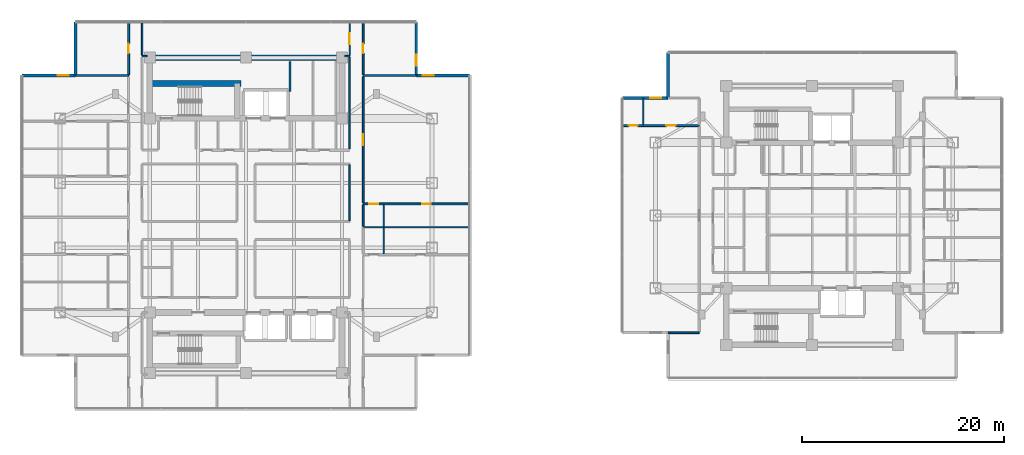
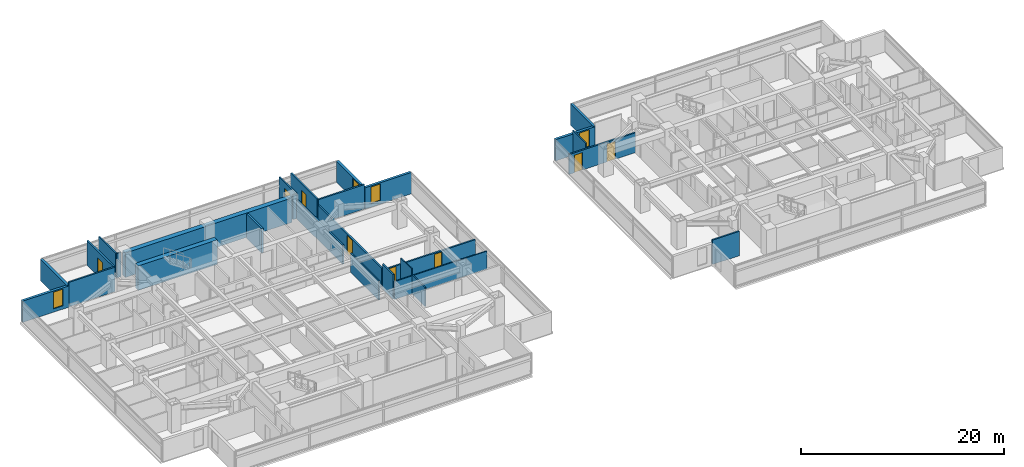
# One storey, part 16 of 24: 28 walls, 8 doors, 4 windows, 12 openings.
"""IFC4 building model written with IfcOpenShell, lengths in metres."""

from ifc_helpers import new_model, si_unit, direction, frame, frame_2d, origin, place, context, subcontext, project, spatial, rectangle, extrude, material, layer, layer_set, type_object, element, fill, save


model = new_model("IFC4")

# Units and contexts
model_context = context("Model", 3, precision=1e-05, world=origin(), true_north=direction((0.0, 1.0)))
body_context = subcontext(model_context, "Body", "Model", "MODEL_VIEW")
ifc_project = project(units=[si_unit("LENGTHUNIT", "METRE"), si_unit("AREAUNIT", "SQUARE_METRE"), si_unit("VOLUMEUNIT", "CUBIC_METRE"), si_unit("PLANEANGLEUNIT", "RADIAN"), si_unit("MASSUNIT", "GRAM", prefix="KILO")], contexts=[model_context])

# Site, building, storey
site_placement = place(None, origin())
site = spatial("IfcSite", under=ifc_project, at=site_placement, CompositionType="ELEMENT")
building_placement = place(site_placement, origin())
building = spatial("IfcBuilding", under=site, at=building_placement, Name="Mirazonda Arch Towers", CompositionType="ELEMENT")
storey_placement = place(building_placement, frame((0.0, 0.0, 144.5)))
storey = spatial("IfcBuildingStorey", under=building, at=storey_placement, Name="L41", CompositionType="ELEMENT", Elevation=144.5)

# Walls
ifc_material_1 = material(Name="Concrete C50/60", Category="concrete")
ifc_layer_1 = layer(ifc_material_1, 0.550048828125, Name="WALL-CORE-550")
ifc_layer_set_1 = layer_set([ifc_layer_1], Name="Concrete C50/60")
wall_type_1 = type_object("IfcWallType", Name="WALL-CORE-550", PredefinedType="SHEAR", material=ifc_layer_set_1)
wall_1_placement = place(storey_placement, frame((11.0, 43.60009765625, 0.0), z_axis=(0.0, 0.0, 1.0), x_axis=(1.0, 0.0, 0.0)))
element("IfcWall", 1, at=wall_1_placement, inside=storey, type_object=wall_type_1, Name="L41 T1N-N Core Shear Wall", PredefinedType="SHEAR", context=body_context, shape_type="SweptSolid", body=[
    extrude(rectangle(XDim=19.0, YDim=0.550048828125, at=frame_2d((9.5, 0.0))), origin(), (0.0, 0.0, 1.0), 2.93994140625),
])
wall_2_placement = place(storey_placement, frame((11.0, 41.04296875, 0.0), z_axis=(0.0, 0.0, 1.0), x_axis=(1.0, 0.0, 0.0)))
element("IfcWall", 2, at=wall_2_placement, inside=storey, type_object=wall_type_1, Name="L41 T1N-STN Core Shear Wall", PredefinedType="SHEAR", context=body_context, shape_type="SweptSolid", body=[
    extrude(rectangle(XDim=9.0, YDim=0.550048828125, at=frame_2d((4.5, 0.0))), origin(), (0.0, 0.0, 1.0), 2.93994140625),
])

# Wall, opening, window
ifc_material_2 = material(Name="Precast Concrete C40/50", Category="concrete")
ifc_layer_2 = layer(ifc_material_2, 0.280029296875, Name="WALL-EXT-WALL-280")
ifc_layer_set_2 = layer_set([ifc_layer_2], Name="Precast Concrete C40/50")
wall_type_2 = type_object("IfcWallType", Name="WALL-EXT-WALL-280", PredefinedType="SOLIDWALL", material=ifc_layer_set_2)
wall_3_placement = place(storey_placement, frame((37.35009765625, 41.833984375, 0.0), z_axis=(0.0, 0.0, 1.0), x_axis=(0.0, 1.0, 0.0)))
wall_3 = element("IfcWall", 3, at=wall_3_placement, inside=storey, type_object=wall_type_2, Name="L41 T1 Notched NE Corner Wall WL-L41-T1-CNE", PredefinedType="SOLIDWALL", context=body_context, shape_type="SweptSolid", body=[
    extrude(rectangle(XDim=5.27001953125, YDim=0.280029296875, at=frame_2d((2.635009765625, 0.0))), origin(), (0.0, 0.0, 1.0), 2.56005859375),
])
opening_1_placement = place(wall_3_placement, frame((0.949951171875, 0.0, 0.409912109375)))
opening_1 = element("IfcOpeningElement", 4, at=opening_1_placement, cuts=wall_3, Name="Opening WN-108", PredefinedType="OPENING", context=body_context, shape_type="SweptSolid", body=[
    extrude(rectangle(XDim=1.10009765625, YDim=2.0, at=frame_2d((0.550048828125, 1.0))), frame((0.0, 0.14990234375, 0.0), z_axis=(0.0, -1.0, 0.0), x_axis=(1.0, 0.0, 0.0)), (0.0, 0.0, 1.0), 0.300048828125),
])
ifc_material_3 = material(Name="Insulated Low-E Solar Glass", Category="glass")
window_type = type_object("IfcWindowType", Name="WIN-NOTCH-1100x2000", PartitioningType="SINGLE_PANEL", PredefinedType="WINDOW", material=ifc_material_3)
window_1_placement = place(opening_1_placement, origin())
window_1 = element("IfcWindow", 5, at=window_1_placement, inside=storey, type_object=window_type, Name="L41 Punched Facade Window WN-L41-T1-CNE", OverallHeight=2.0, OverallWidth=1.10009765625, PartitioningType="SINGLE_PANEL", PredefinedType="WINDOW", context=body_context, shape_type="SweptSolid", body=[
    extrude(rectangle(XDim=1.10009765625, YDim=2.0, at=frame_2d((0.550048828125, 1.0))), frame((0.0, 0.030029296875, 0.0), z_axis=(0.0, -1.0, 0.0), x_axis=(1.0, 0.0, 0.0)), (0.0, 0.0, 1.0), 0.06005859375),
])
fill(opening_1, window_1)

wall_4_placement = place(storey_placement, frame((3.64990234375, 41.833984375, 0.0), z_axis=(0.0, 0.0, 1.0), x_axis=(-1.0, 0.0, 0.0)))
wall_4 = element("IfcWall", 6, at=wall_4_placement, inside=storey, type_object=wall_type_2, Name="L41 T1 Corner Notch Return Wall WL-L41-T1-CNW1", PredefinedType="SOLIDWALL", context=body_context, shape_type="SweptSolid", body=[
    extrude(rectangle(XDim=5.27001953125, YDim=0.280029296875, at=frame_2d((2.635009765625, 0.0))), origin(), (0.0, 0.0, 1.0), 2.56005859375),
])
opening_2_placement = place(wall_4_placement, frame((0.64990234375, 0.0, 0.409912109375)))
opening_2 = element("IfcOpeningElement", 7, at=opening_2_placement, cuts=wall_4, Name="Opening WN-108", PredefinedType="OPENING", context=body_context, shape_type="SweptSolid", body=[
    extrude(rectangle(XDim=1.10009765625, YDim=2.0, at=frame_2d((0.550048828125, 1.0))), frame((0.0, 0.14990234375, 0.0), z_axis=(0.0, -1.0, 0.0), x_axis=(1.0, 0.0, 0.0)), (0.0, 0.0, 1.0), 0.300048828125),
])
window_2_placement = place(opening_2_placement, origin())
window_2 = element("IfcWindow", 8, at=window_2_placement, inside=storey, type_object=window_type, Name="L41 Punched Facade Window WN-L41-T1-CNW1", OverallHeight=2.0, OverallWidth=1.10009765625, PartitioningType="SINGLE_PANEL", PredefinedType="WINDOW", context=body_context, shape_type="SweptSolid", body=[
    extrude(rectangle(XDim=1.10009765625, YDim=2.0, at=frame_2d((0.550048828125, 1.0))), frame((0.0, 0.030029296875, 0.0), z_axis=(0.0, -1.0, 0.0), x_axis=(1.0, 0.0, 0.0)), (0.0, 0.0, 1.0), 0.06005859375),
])
fill(opening_2, window_2)

# Wall
wall_5_placement = place(storey_placement, frame((3.64990234375, 47.10400390625, 0.0), z_axis=(0.0, 0.0, 1.0), x_axis=(0.0, -1.0, 0.0)))
element("IfcWall", 9, at=wall_5_placement, inside=storey, type_object=wall_type_2, Name="L41 T1 Corner Notch Return Wall WL-L41-T1-CNW2", PredefinedType="SOLIDWALL", context=body_context, shape_type="SweptSolid", body=[
    extrude(rectangle(XDim=5.27001953125, YDim=0.280029296875, at=frame_2d((2.635009765625, 0.0))), origin(), (0.0, 0.0, 1.0), 2.56005859375),
])

# Wall, opening, window
wall_6_placement = place(storey_placement, frame((42.6201171875, 41.833984375, 0.0), z_axis=(0.0, 0.0, 1.0), x_axis=(-1.0, 0.0, 0.0)))
wall_6 = element("IfcWall", 10, at=wall_6_placement, inside=storey, type_object=wall_type_2, Name="L41 T1 Corner Notch Return Wall WL-L41-T1-CNE2", PredefinedType="SOLIDWALL", context=body_context, shape_type="SweptSolid", body=[
    extrude(rectangle(XDim=5.27001953125, YDim=0.280029296875, at=frame_2d((2.635009765625, 0.0))), origin(), (0.0, 0.0, 1.0), 2.56005859375),
])
opening_3_placement = place(wall_6_placement, frame((3.52001953125, 0.0, 0.409912109375)))
opening_3 = element("IfcOpeningElement", 11, at=opening_3_placement, cuts=wall_6, Name="Opening WN-108", PredefinedType="OPENING", context=body_context, shape_type="SweptSolid", body=[
    extrude(rectangle(XDim=1.10009765625, YDim=2.0, at=frame_2d((0.550048828125, 1.0))), frame((0.0, 0.14990234375, 0.0), z_axis=(0.0, -1.0, 0.0), x_axis=(1.0, 0.0, 0.0)), (0.0, 0.0, 1.0), 0.300048828125),
])
window_3_placement = place(opening_3_placement, origin())
window_3 = element("IfcWindow", 12, at=window_3_placement, inside=storey, type_object=window_type, Name="L41 Punched Facade Window WN-L41-T1-CNE2", OverallHeight=2.0, OverallWidth=1.10009765625, PartitioningType="SINGLE_PANEL", PredefinedType="WINDOW", context=body_context, shape_type="SweptSolid", body=[
    extrude(rectangle(XDim=1.10009765625, YDim=2.0, at=frame_2d((0.550048828125, 1.0))), frame((0.0, 0.030029296875, 0.0), z_axis=(0.0, -1.0, 0.0), x_axis=(1.0, 0.0, 0.0)), (0.0, 0.0, 1.0), 0.06005859375),
])
fill(opening_3, window_3)

wall_7_placement = place(storey_placement, frame((62.237548828125, 39.598876953125, 0.0), z_axis=(0.0, 0.0, 1.0), x_axis=(-1.0, 0.0, 0.0)))
wall_7 = element("IfcWall", 13, at=wall_7_placement, inside=storey, type_object=wall_type_2, Name="L41 T2 Corner Notch Return Wall WL-L41-T2-CNW1", PredefinedType="SOLIDWALL", context=body_context, shape_type="SweptSolid", body=[
    extrude(rectangle(XDim=4.486572265625, YDim=0.280029296875, at=frame_2d((2.2431640625, 0.0))), origin(), (0.0, 0.0, 1.0), 2.56005859375),
])
opening_4_placement = place(wall_7_placement, frame((0.64990234375, 0.0, 0.409912109375)))
opening_4 = element("IfcOpeningElement", 14, at=opening_4_placement, cuts=wall_7, Name="Opening WN-108", PredefinedType="OPENING", context=body_context, shape_type="SweptSolid", body=[
    extrude(rectangle(XDim=1.10009765625, YDim=2.0, at=frame_2d((0.550048828125, 1.0))), frame((0.0, 0.14990234375, 0.0), z_axis=(0.0, -1.0, 0.0), x_axis=(1.0, 0.0, 0.0)), (0.0, 0.0, 1.0), 0.300048828125),
])
window_4_placement = place(opening_4_placement, origin())
window_4 = element("IfcWindow", 15, at=window_4_placement, inside=storey, type_object=window_type, Name="L41 Punched Facade Window WN-L41-T2-CNW1", OverallHeight=2.0, OverallWidth=1.10009765625, PartitioningType="SINGLE_PANEL", PredefinedType="WINDOW", context=body_context, shape_type="SweptSolid", body=[
    extrude(rectangle(XDim=1.10009765625, YDim=2.0, at=frame_2d((0.550048828125, 1.0))), frame((0.0, 0.030029296875, 0.0), z_axis=(0.0, -1.0, 0.0), x_axis=(1.0, 0.0, 0.0)), (0.0, 0.0, 1.0), 0.06005859375),
])
fill(opening_4, window_4)

# Walls
wall_8_placement = place(storey_placement, frame((62.237548828125, 44.08544921875, 0.0), z_axis=(0.0, 0.0, 1.0), x_axis=(0.0, -1.0, 0.0)))
element("IfcWall", 16, at=wall_8_placement, inside=storey, type_object=wall_type_2, Name="L41 T2 Corner Notch Return Wall WL-L41-T2-CNW2", PredefinedType="SOLIDWALL", context=body_context, shape_type="SweptSolid", body=[
    extrude(rectangle(XDim=4.486572265625, YDim=0.280029296875, at=frame_2d((2.2431640625, 0.0))), origin(), (0.0, 0.0, 1.0), 2.56005859375),
])
ifc_material_4 = material(Name="Concrete C40/50", Category="concrete")
ifc_layer_3 = layer(ifc_material_4, 0.219970703125, Name="WALL-FFL-220")
ifc_layer_set_3 = layer_set([ifc_layer_3], Name="Concrete C40/50")
wall_type_3 = type_object("IfcWallType", Name="WALL-FFL-220", PredefinedType="SOLIDWALL", material=ifc_layer_set_3)
wall_9_placement = place(storey_placement, frame((24.85009765625, 40.260009765625, 0.0), z_axis=(0.0, 0.0, 1.0), x_axis=(0.0, 1.0, 0.0)))
element("IfcWall", 17, at=wall_9_placement, inside=storey, type_object=wall_type_3, Name="L41 Interior Partition 103", PredefinedType="SOLIDWALL", context=body_context, shape_type="SweptSolid", body=[
    extrude(rectangle(XDim=2.93994140625, YDim=0.219970703125, at=frame_2d((1.469970703125, 0.0))), origin(), (0.0, 0.0, 1.0), 2.93994140625),
])
ifc_material_5 = material(Name="Fire-Rated Gypsum Stud Partition")
ifc_layer_4 = layer(ifc_material_5, 0.14990234375, Name="WALL-PART-CORR-150")
ifc_layer_set_4 = layer_set([ifc_layer_4], Name="Fire-Rated Gypsum Stud Partition")
wall_type_4 = type_object("IfcWallType", Name="WALL-PART-CORR-150", PredefinedType="PARTITIONING", material=ifc_layer_set_4)
for number, where, z_axis, x_axis, name in (
    (18, (10.239990234375, 43.75, 0.0), (0.0, 0.0, 1.0), (1.0, 0.0, 0.0), "L41 Interior Partition 061"),
    (19, (30.27001953125, 43.75, 0.0), (0.0, 0.0, 1.0), (1.0, 0.0, 0.0), "L41 Interior Partition 062"),
):
    element("IfcWall", number, at=place(storey_placement, frame(where, z_axis=z_axis, x_axis=x_axis)), inside=storey, type_object=wall_type_4, Name=name, PredefinedType="PARTITIONING", context=body_context, shape_type="SweptSolid", body=[
        extrude(rectangle(XDim=0.489990234375, YDim=0.14990234375, at=frame_2d((0.2451171875, 0.0))), origin(), (0.0, 0.0, 1.0), 2.93994140625),
    ])
wall_10_placement = place(storey_placement, frame((10.239990234375, 43.8349609375, 0.0), z_axis=(0.0, 0.0, 1.0), x_axis=(0.0, 1.0, 0.0)))
element("IfcWall", 20, at=wall_10_placement, inside=storey, type_object=wall_type_4, Name="L41 Interior Partition 083", PredefinedType="PARTITIONING", context=body_context, shape_type="SweptSolid", body=[
    extrude(rectangle(XDim=3.26904296875, YDim=0.14990234375, at=frame_2d((1.634521484375, 0.0))), origin(), (0.0, 0.0, 1.0), 2.93994140625),
])
wall_11_placement = place(storey_placement, frame((30.760009765625, 27.485107421875, 0.0), z_axis=(0.0, 0.0, 1.0), x_axis=(0.0, 1.0, 0.0)))
element("IfcWall", 21, at=wall_11_placement, inside=storey, type_object=wall_type_4, Name="L41 Interior Partition 112", PredefinedType="PARTITIONING", context=body_context, shape_type="SweptSolid", body=[
    extrude(rectangle(XDim=5.52978515625, YDim=0.14990234375, at=frame_2d((2.764892578125, 0.0))), origin(), (0.0, 0.0, 1.0), 2.31591796875),
])
wall_12_placement = place(storey_placement, frame((30.760009765625, 34.570068359375, 0.0), z_axis=(0.0, 0.0, 1.0), x_axis=(0.0, 1.0, 0.0)))
element("IfcWall", 22, at=wall_12_placement, inside=storey, type_object=wall_type_4, Name="L41 Interior Partition 113", PredefinedType="PARTITIONING", context=body_context, shape_type="SweptSolid", body=[
    extrude(rectangle(XDim=9.094970703125, YDim=0.14990234375, at=frame_2d((4.54736328125, 0.0))), origin(), (0.0, 0.0, 1.0), 2.31591796875),
])

# Wall, opening, door
wall_13_placement = place(storey_placement, frame((30.760009765625, 43.8349609375, 0.0), z_axis=(0.0, 0.0, 1.0), x_axis=(0.0, 1.0, 0.0)))
wall_13 = element("IfcWall", 23, at=wall_13_placement, inside=storey, type_object=wall_type_4, Name="L41 Interior Partition 114", PredefinedType="PARTITIONING", context=body_context, shape_type="SweptSolid", body=[
    extrude(rectangle(XDim=3.26904296875, YDim=0.14990234375, at=frame_2d((1.634521484375, 0.0))), origin(), (0.0, 0.0, 1.0), 2.93994140625),
])
opening_5_placement = place(wall_13_placement, frame((1.109619140625, 0.0, 0.0)))
opening_5 = element("IfcOpeningElement", 24, at=opening_5_placement, cuts=wall_13, Name="Opening DR-121", PredefinedType="OPENING", context=body_context, shape_type="SweptSolid", body=[
    extrude(rectangle(XDim=1.050048828125, YDim=2.199951171875, at=frame_2d((0.52490234375, 1.10009765625))), frame((0.0, 0.0849609375, 0.0), z_axis=(0.0, -1.0, 0.0), x_axis=(1.0, 0.0, 0.0)), (0.0, 0.0, 1.0), 0.169921875),
])
ifc_material_6 = material(Name="Architectural Brushed Steel S355", Category="steel")
door_type_1 = type_object("IfcDoorType", Name="DOOR-SUITE-FD60-1050", OperationType="NOTDEFINED", PredefinedType="DOOR", material=ifc_material_6)
door_1_placement = place(opening_5_placement, origin())
door_1 = element("IfcDoor", 25, at=door_1_placement, inside=storey, type_object=door_type_1, Name="L41 North Reading Salon Suite Door", OperationType="SINGLE_SWING_RIGHT", OverallHeight=2.199951171875, OverallWidth=1.050048828125, PredefinedType="DOOR", context=body_context, shape_type="SweptSolid", body=[
    extrude(rectangle(XDim=1.050048828125, YDim=2.199951171875, at=frame_2d((0.52490234375, 1.10009765625))), frame((0.0, 0.02490234375, 0.0), z_axis=(0.0, -1.0, 0.0), x_axis=(1.0, 0.0, 0.0)), (0.0, 0.0, 1.0), 0.050048828125),
])
fill(opening_5, door_1)

# Wall
ifc_material_7 = material(Name="Fire-Rated Gypsum Twin-Stud Assembly")
ifc_layer_5 = layer(ifc_material_7, 0.179931640625, Name="WALL-PART-DEMISE-180")
ifc_layer_set_5 = layer_set([ifc_layer_5], Name="Fire-Rated Gypsum Twin-Stud Assembly")
wall_type_5 = type_object("IfcWallType", Name="WALL-PART-DEMISE-180", PredefinedType="PARTITIONING", material=ifc_layer_set_5)
wall_14_placement = place(storey_placement, frame((62.257568359375, 16.40087890625, 0.0), z_axis=(0.0, 0.0, 1.0), x_axis=(1.0, 0.0, 0.0)))
element("IfcWall", 26, at=wall_14_placement, inside=storey, type_object=wall_type_5, Name="L41 Interior Partition 009", PredefinedType="PARTITIONING", context=body_context, shape_type="SweptSolid", body=[
    extrude(rectangle(XDim=3.0625, YDim=0.179931640625, at=frame_2d((1.53125, 0.0))), origin(), (0.0, 0.0, 1.0), 2.93994140625),
])

# Wall, openings, doors
wall_15_placement = place(storey_placement, frame((32.10009765625, 29.137939453125, 0.0), z_axis=(0.0, 0.0, 1.0), x_axis=(1.0, 0.0, 0.0)))
wall_15 = element("IfcWall", 27, at=wall_15_placement, inside=storey, type_object=wall_type_5, Name="L41 Interior Partition 038", PredefinedType="PARTITIONING", context=body_context, shape_type="SweptSolid", body=[
    extrude(rectangle(XDim=10.52001953125, YDim=0.179931640625, at=frame_2d((5.260009765625, 0.0))), origin(), (0.0, 0.0, 1.0), 2.158935546875),
])
opening_6_placement = place(wall_15_placement, frame((5.8349609375, 0.0, 0.0)))
opening_6 = element("IfcOpeningElement", 28, at=opening_6_placement, cuts=wall_15, Name="Opening DR-128", PredefinedType="OPENING", context=body_context, shape_type="SweptSolid", body=[
    extrude(rectangle(XDim=0.85009765625, YDim=2.010009765625, at=frame_2d((0.425048828125, 1.0048828125))), frame((0.0, 0.099853515625, 0.0), z_axis=(0.0, -1.0, 0.0), x_axis=(1.0, 0.0, 0.0)), (0.0, 0.0, 1.0), 0.199951171875),
])
opening_7_placement = place(wall_15_placement, frame((0.590087890625, 0.0, 0.0)))
opening_7 = element("IfcOpeningElement", 29, at=opening_7_placement, cuts=wall_15, Name="Opening DR-120", PredefinedType="OPENING", context=body_context, shape_type="SweptSolid", body=[
    extrude(rectangle(XDim=0.89990234375, YDim=2.10009765625, at=frame_2d((0.449951171875, 1.050048828125))), frame((0.0, 0.099853515625, 0.0), z_axis=(0.0, -1.0, 0.0), x_axis=(1.0, 0.0, 0.0)), (0.0, 0.0, 1.0), 0.199951171875),
])
door_type_2 = type_object("IfcDoorType", Name="DOOR-RISER-FD60-850", OperationType="NOTDEFINED", PredefinedType="DOOR", material=ifc_material_6)
door_2_placement = place(opening_6_placement, origin())
door_2 = element("IfcDoor", 30, at=door_2_placement, inside=storey, type_object=door_type_2, Name="L41 Suite Bedroom 2 Door", OperationType="SINGLE_SWING_RIGHT", OverallHeight=2.010009765625, OverallWidth=0.85009765625, PredefinedType="DOOR", context=body_context, shape_type="SweptSolid", body=[
    extrude(rectangle(XDim=0.85009765625, YDim=2.010009765625, at=frame_2d((0.425048828125, 1.0048828125))), frame((0.0, 0.02490234375, 0.0), z_axis=(0.0, -1.0, 0.0), x_axis=(1.0, 0.0, 0.0)), (0.0, 0.0, 1.0), 0.050048828125),
])
fill(opening_6, door_2)
door_type_3 = type_object("IfcDoorType", Name="DOOR-WC-900", OperationType="NOTDEFINED", PredefinedType="DOOR", material=ifc_material_6)
door_3_placement = place(opening_7_placement, origin())
door_3 = element("IfcDoor", 31, at=door_3_placement, inside=storey, type_object=door_type_3, Name="L41 Suite En-Suite Bathroom 2 Door", OperationType="SINGLE_SWING_LEFT", OverallHeight=2.10009765625, OverallWidth=0.89990234375, PredefinedType="DOOR", context=body_context, shape_type="SweptSolid", body=[
    extrude(rectangle(XDim=0.89990234375, YDim=2.10009765625, at=frame_2d((0.449951171875, 1.050048828125))), frame((0.0, 0.02490234375, 0.0), z_axis=(0.0, -1.0, 0.0), x_axis=(1.0, 0.0, 0.0)), (0.0, 0.0, 1.0), 0.050048828125),
])
fill(opening_7, door_3)

wall_16_placement = place(storey_placement, frame((57.7509765625, 36.87890625, 0.0), z_axis=(0.0, 0.0, 1.0), x_axis=(1.0, 0.0, 0.0)))
wall_16 = element("IfcWall", 32, at=wall_16_placement, inside=storey, type_object=wall_type_5, Name="L41 Interior Partition 052", PredefinedType="PARTITIONING", context=body_context, shape_type="SweptSolid", body=[
    extrude(rectangle(XDim=7.569091796875, YDim=0.179931640625, at=frame_2d((3.78466796875, 0.0))), origin(), (0.0, 0.0, 1.0), 2.383056640625),
])
opening_8_placement = place(wall_16_placement, frame((4.3095703125, 0.0, 0.0)))
opening_8 = element("IfcOpeningElement", 33, at=opening_8_placement, cuts=wall_16, Name="Opening DR-104", PredefinedType="OPENING", context=body_context, shape_type="SweptSolid", body=[
    extrude(rectangle(XDim=0.949951171875, YDim=2.14990234375, at=frame_2d((0.47509765625, 1.074951171875))), frame((0.0, 0.099853515625, 0.0), z_axis=(0.0, -1.0, 0.0), x_axis=(1.0, 0.0, 0.0)), (0.0, 0.0, 1.0), 0.199951171875),
])
opening_9_placement = place(wall_16_placement, frame((0.590087890625, 0.0, 0.0)))
opening_9 = element("IfcOpeningElement", 34, at=opening_9_placement, cuts=wall_16, Name="Opening DR-120", PredefinedType="OPENING", context=body_context, shape_type="SweptSolid", body=[
    extrude(rectangle(XDim=0.89990234375, YDim=2.10009765625, at=frame_2d((0.449951171875, 1.050048828125))), frame((0.0, 0.099853515625, 0.0), z_axis=(0.0, -1.0, 0.0), x_axis=(1.0, 0.0, 0.0)), (0.0, 0.0, 1.0), 0.199951171875),
])
door_type_4 = type_object("IfcDoorType", Name="DOOR-ROOM-950", OperationType="NOTDEFINED", PredefinedType="DOOR", material=ifc_material_6)
door_4_placement = place(opening_8_placement, origin())
door_4 = element("IfcDoor", 35, at=door_4_placement, inside=storey, type_object=door_type_4, Name="L41 Suite Bedroom 1 Door", OperationType="SINGLE_SWING_LEFT", OverallHeight=2.14990234375, OverallWidth=0.949951171875, PredefinedType="DOOR", context=body_context, shape_type="SweptSolid", body=[
    extrude(rectangle(XDim=0.949951171875, YDim=2.14990234375, at=frame_2d((0.47509765625, 1.074951171875))), frame((0.0, 0.02490234375, 0.0), z_axis=(0.0, -1.0, 0.0), x_axis=(1.0, 0.0, 0.0)), (0.0, 0.0, 1.0), 0.050048828125),
])
fill(opening_8, door_4)
door_5_placement = place(opening_9_placement, origin())
door_5 = element("IfcDoor", 36, at=door_5_placement, inside=storey, type_object=door_type_3, Name="L41 Suite En-Suite Bathroom 1 Door", OperationType="SINGLE_SWING_RIGHT", OverallHeight=2.10009765625, OverallWidth=0.89990234375, PredefinedType="DOOR", context=body_context, shape_type="SweptSolid", body=[
    extrude(rectangle(XDim=0.89990234375, YDim=2.10009765625, at=frame_2d((0.449951171875, 1.050048828125))), frame((0.0, 0.02490234375, 0.0), z_axis=(0.0, -1.0, 0.0), x_axis=(1.0, 0.0, 0.0)), (0.0, 0.0, 1.0), 0.050048828125),
])
fill(opening_9, door_5)

# Walls
for number, where, z_axis, x_axis, name in (
    (37, (3.669921875, 41.833984375, 0.0), (0.0, 0.0, 1.0), (1.0, 0.0, 0.0), "L41 Interior Partition 059"),
    (38, (32.10009765625, 41.833984375, 0.0), (0.0, 0.0, 1.0), (1.0, 0.0, 0.0), "L41 Interior Partition 060"),
):
    element("IfcWall", number, at=place(storey_placement, frame(where, z_axis=z_axis, x_axis=x_axis)), inside=storey, type_object=wall_type_5, Name=name, PredefinedType="PARTITIONING", context=body_context, shape_type="SweptSolid", body=[
        extrude(rectangle(XDim=5.22998046875, YDim=0.179931640625, at=frame_2d((2.614990234375, 0.0))), origin(), (0.0, 0.0, 1.0), 2.93994140625),
    ])

# Wall, opening, door
wall_17_placement = place(storey_placement, frame((8.89990234375, 41.93408203125, 0.0), z_axis=(0.0, 0.0, 1.0), x_axis=(0.0, 1.0, 0.0)))
wall_17 = element("IfcWall", 39, at=wall_17_placement, inside=storey, type_object=wall_type_5, Name="L41 Interior Partition 076", PredefinedType="PARTITIONING", context=body_context, shape_type="SweptSolid", body=[
    extrude(rectangle(XDim=5.169921875, YDim=0.179931640625, at=frame_2d((2.5849609375, 0.0))), origin(), (0.0, 0.0, 1.0), 2.93994140625),
])
opening_10_placement = place(wall_17_placement, frame((2.110107421875, 0.0, 0.0)))
opening_10 = element("IfcOpeningElement", 40, at=opening_10_placement, cuts=wall_17, Name="Opening DR-104", PredefinedType="OPENING", context=body_context, shape_type="SweptSolid", body=[
    extrude(rectangle(XDim=0.949951171875, YDim=2.14990234375, at=frame_2d((0.47509765625, 1.074951171875))), frame((0.0, 0.099853515625, 0.0), z_axis=(0.0, -1.0, 0.0), x_axis=(1.0, 0.0, 0.0)), (0.0, 0.0, 1.0), 0.199951171875),
])
door_6_placement = place(opening_10_placement, origin())
door_6 = element("IfcDoor", 41, at=door_6_placement, inside=storey, type_object=door_type_4, Name="L41 North Reading Salon Alcove West Door", OperationType="SINGLE_SWING_LEFT", OverallHeight=2.14990234375, OverallWidth=0.949951171875, PredefinedType="DOOR", context=body_context, shape_type="SweptSolid", body=[
    extrude(rectangle(XDim=0.949951171875, YDim=2.14990234375, at=frame_2d((0.47509765625, 1.074951171875))), frame((0.0, 0.02490234375, 0.0), z_axis=(0.0, -1.0, 0.0), x_axis=(1.0, 0.0, 0.0)), (0.0, 0.0, 1.0), 0.050048828125),
])
fill(opening_10, door_6)

# Wall
wall_18_placement = place(storey_placement, frame((32.10009765625, 26.910400390625, 0.0), z_axis=(0.0, 0.0, 1.0), x_axis=(0.0, 1.0, 0.0)))
element("IfcWall", 42, at=wall_18_placement, inside=storey, type_object=wall_type_5, Name="L41 Interior Partition 118", PredefinedType="PARTITIONING", context=body_context, shape_type="SweptSolid", body=[
    extrude(rectangle(XDim=2.127685546875, YDim=0.179931640625, at=frame_2d((1.06396484375, 0.0))), origin(), (0.0, 0.0, 1.0), 2.93994140625),
])

# Wall, opening, door
wall_19_placement = place(storey_placement, frame((32.10009765625, 29.238037109375, 0.0), z_axis=(0.0, 0.0, 1.0), x_axis=(0.0, 1.0, 0.0)))
wall_19 = element("IfcWall", 43, at=wall_19_placement, inside=storey, type_object=wall_type_5, Name="L41 Interior Partition 119", PredefinedType="PARTITIONING", context=body_context, shape_type="SweptSolid", body=[
    extrude(rectangle(XDim=12.495849609375, YDim=0.179931640625, at=frame_2d((6.248046875, 0.0))), origin(), (0.0, 0.0, 1.0), 2.31591796875),
])
opening_11_placement = place(wall_19_placement, frame((5.722900390625, 0.0, 0.0)))
opening_11 = element("IfcOpeningElement", 44, at=opening_11_placement, cuts=wall_19, Name="Opening DR-121", PredefinedType="OPENING", context=body_context, shape_type="SweptSolid", body=[
    extrude(rectangle(XDim=1.050048828125, YDim=2.199951171875, at=frame_2d((0.52490234375, 1.10009765625))), frame((0.0, 0.099853515625, 0.0), z_axis=(0.0, -1.0, 0.0), x_axis=(1.0, 0.0, 0.0)), (0.0, 0.0, 1.0), 0.199951171875),
])
door_7_placement = place(opening_11_placement, origin())
door_7 = element("IfcDoor", 45, at=door_7_placement, inside=storey, type_object=door_type_1, Name="L41 Presidential Hotel Suite 2 Door", OperationType="SINGLE_SWING_LEFT", OverallHeight=2.199951171875, OverallWidth=1.050048828125, PredefinedType="DOOR", context=body_context, shape_type="SweptSolid", body=[
    extrude(rectangle(XDim=1.050048828125, YDim=2.199951171875, at=frame_2d((0.52490234375, 1.10009765625))), frame((0.0, 0.02490234375, 0.0), z_axis=(0.0, -1.0, 0.0), x_axis=(1.0, 0.0, 0.0)), (0.0, 0.0, 1.0), 0.050048828125),
])
fill(opening_11, door_7)

wall_20_placement = place(storey_placement, frame((32.10009765625, 41.93408203125, 0.0), z_axis=(0.0, 0.0, 1.0), x_axis=(0.0, 1.0, 0.0)))
wall_20 = element("IfcWall", 46, at=wall_20_placement, inside=storey, type_object=wall_type_5, Name="L41 Interior Partition 120", PredefinedType="PARTITIONING", context=body_context, shape_type="SweptSolid", body=[
    extrude(rectangle(XDim=5.169921875, YDim=0.179931640625, at=frame_2d((2.5849609375, 0.0))), origin(), (0.0, 0.0, 1.0), 2.93994140625),
])
opening_12_placement = place(wall_20_placement, frame((2.110107421875, 0.0, 0.0)))
opening_12 = element("IfcOpeningElement", 47, at=opening_12_placement, cuts=wall_20, Name="Opening DR-104", PredefinedType="OPENING", context=body_context, shape_type="SweptSolid", body=[
    extrude(rectangle(XDim=0.949951171875, YDim=2.14990234375, at=frame_2d((0.47509765625, 1.074951171875))), frame((0.0, 0.099853515625, 0.0), z_axis=(0.0, -1.0, 0.0), x_axis=(1.0, 0.0, 0.0)), (0.0, 0.0, 1.0), 0.199951171875),
])
door_8_placement = place(opening_12_placement, origin())
door_8 = element("IfcDoor", 48, at=door_8_placement, inside=storey, type_object=door_type_4, Name="L41 North Reading Salon Alcove East Door", OperationType="SINGLE_SWING_RIGHT", OverallHeight=2.14990234375, OverallWidth=0.949951171875, PredefinedType="DOOR", context=body_context, shape_type="SweptSolid", body=[
    extrude(rectangle(XDim=0.949951171875, YDim=2.14990234375, at=frame_2d((0.47509765625, 1.074951171875))), frame((0.0, 0.02490234375, 0.0), z_axis=(0.0, -1.0, 0.0), x_axis=(1.0, 0.0, 0.0)), (0.0, 0.0, 1.0), 0.050048828125),
])
fill(opening_12, door_8)

# Walls
ifc_material_8 = material(Name="Acoustic Fire-Rated Gypsum Partition")
ifc_layer_6 = layer(ifc_material_8, 0.125, Name="WALL-PART-UNIT-125")
ifc_layer_set_6 = layer_set([ifc_layer_6], Name="Acoustic Fire-Rated Gypsum Partition")
wall_type_6 = type_object("IfcWallType", Name="WALL-PART-UNIT-125", PredefinedType="PARTITIONING", material=ifc_layer_set_6)
wall_21_placement = place(storey_placement, frame((32.10009765625, 26.837890625, 0.0), z_axis=(0.0, 0.0, 1.0), x_axis=(1.0, 0.0, 0.0)))
element("IfcWall", 49, at=wall_21_placement, inside=storey, type_object=wall_type_6, Name="L41 Interior Partition 033", PredefinedType="PARTITIONING", context=body_context, shape_type="SweptSolid", body=[
    extrude(rectangle(XDim=10.52001953125, YDim=0.125, at=frame_2d((5.260009765625, 0.0))), origin(), (0.0, 0.0, 1.0), 2.158935546875),
])
wall_22_placement = place(storey_placement, frame((34.139892578125, 24.218017578125, 0.0), z_axis=(0.0, 0.0, 1.0), x_axis=(0.0, 1.0, 0.0)))
element("IfcWall", 50, at=wall_22_placement, inside=storey, type_object=wall_type_6, Name="L41 Interior Partition 121", PredefinedType="PARTITIONING", context=body_context, shape_type="SweptSolid", body=[
    extrude(rectangle(XDim=2.54736328125, YDim=0.125, at=frame_2d((1.273681640625, 0.0))), origin(), (0.0, 0.0, 1.0), 2.31591796875),
])
wall_23_placement = place(storey_placement, frame((34.139892578125, 26.910400390625, 0.0), z_axis=(0.0, 0.0, 1.0), x_axis=(0.0, 1.0, 0.0)))
element("IfcWall", 51, at=wall_23_placement, inside=storey, type_object=wall_type_6, Name="L41 Interior Partition 122", PredefinedType="PARTITIONING", context=body_context, shape_type="SweptSolid", body=[
    extrude(rectangle(XDim=2.127685546875, YDim=0.125, at=frame_2d((1.06396484375, 0.0))), origin(), (0.0, 0.0, 1.0), 2.93994140625),
])
wall_24_placement = place(storey_placement, frame((59.791015625, 36.97900390625, 0.0), z_axis=(0.0, 0.0, 1.0), x_axis=(0.0, 1.0, 0.0)))
element("IfcWall", 52, at=wall_24_placement, inside=storey, type_object=wall_type_6, Name="L41 Interior Partition 123", PredefinedType="PARTITIONING", context=body_context, shape_type="SweptSolid", body=[
    extrude(rectangle(XDim=2.6201171875, YDim=0.125, at=frame_2d((1.31005859375, 0.0))), origin(), (0.0, 0.0, 1.0), 2.93994140625),
])

save(model, "model.ifc")
